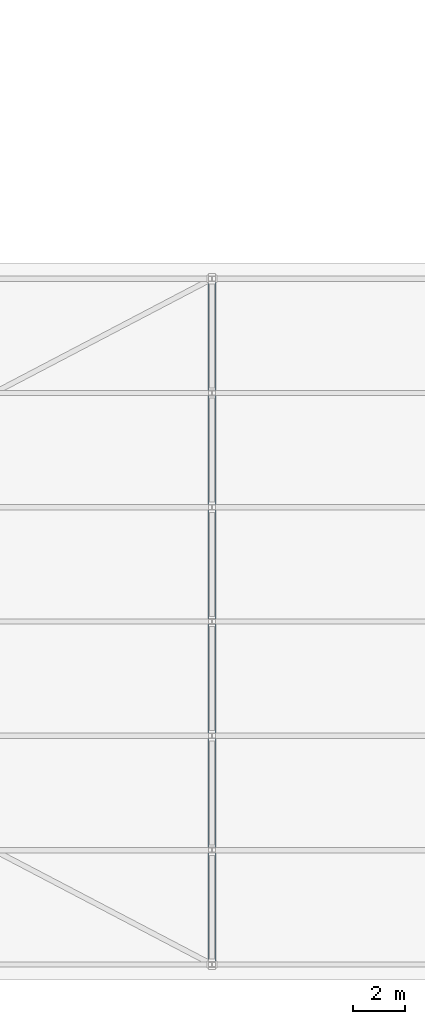
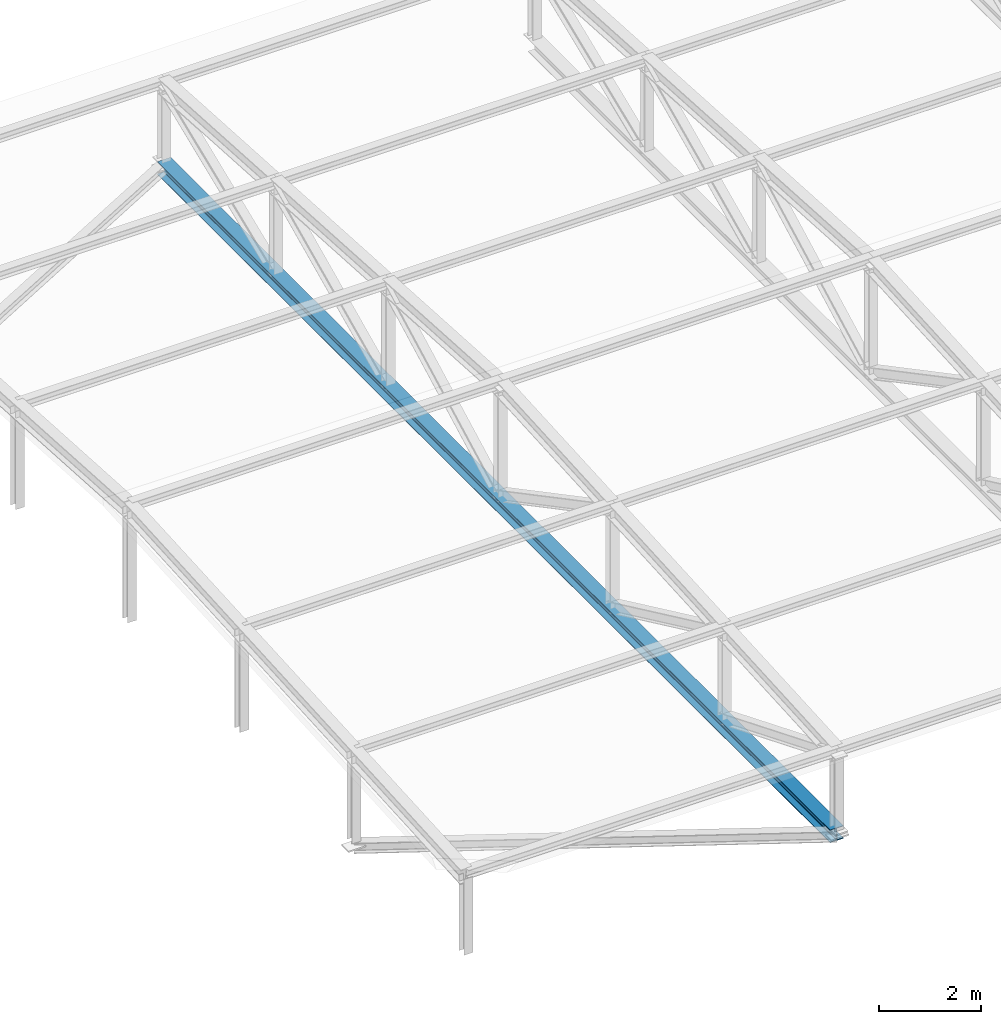
# One storey, part 7 of 49: 1 member.
"""IFC4 building model written with IfcOpenShell, lengths in metres."""

from ifc_helpers import new_model, si_unit, direction, frame, origin, origin_2d, place, context, subcontext, project, spatial, i_section, extrude, material, material_profile, profile_set, type_object, element, save


model = new_model("IFC4")

# Units and contexts
model_context = context("Model", 3, precision=1e-05, world=origin(), true_north=direction((0.0, 1.0)))
body_context = subcontext(model_context, "Body", "Model", "MODEL_VIEW")
ifc_project = project(units=[si_unit("LENGTHUNIT", "METRE"), si_unit("AREAUNIT", "SQUARE_METRE"), si_unit("VOLUMEUNIT", "CUBIC_METRE"), si_unit("PLANEANGLEUNIT", "RADIAN"), si_unit("MASSUNIT", "GRAM", prefix="KILO")], contexts=[model_context])

# Site, building, storey
site_placement = place(None, origin())
site = spatial("IfcSite", under=ifc_project, at=site_placement, CompositionType="ELEMENT")
building_placement = place(site_placement, origin())
building = spatial("IfcBuilding", under=site, at=building_placement, Name="Kemercrest Conservatory and Botanical Centre", CompositionType="ELEMENT")
storey_placement = place(building_placement, frame((0.0, 0.0, 13.199951171875)))
storey = spatial("IfcBuildingStorey", under=building, at=storey_placement, Name="L03", CompositionType="ELEMENT", Elevation=13.199951171875)

# Member
ifc_material = material(Name="Steel CSA G40.21 350W", Category="steel")
ifc_material_profile = material_profile(ifc_material, i_section(OverallWidth=0.304931640625, OverallDepth=0.30810546875, WebThickness=0.010009765625, FlangeThickness=0.015380859375, FilletRadius=0.014892578125, at=origin_2d()), Name="W310X97")
ifc_profile_set = profile_set([ifc_material_profile], Name="Steel CSA G40.21 350W")
member_type = type_object("IfcMemberType", Name="TR-BC310", PredefinedType="CHORD", material=ifc_profile_set)
member_placement = place(storey_placement, frame((66.800048828125, 16.800048828125, -0.14990234375), z_axis=(0.0, 1.0, 0.0), x_axis=(-1.0, 0.0, 0.0)))
element("IfcMember", 1, at=member_placement, inside=storey, type_object=member_type, Name="Auditorium Roof Truss Bottom Chord 08", PredefinedType="CHORD", context=body_context, shape_type="SweptSolid", body=[
    extrude(i_section(OverallWidth=0.304931640625, OverallDepth=0.30810546875, WebThickness=0.010009765625, FlangeThickness=0.015380859375, FilletRadius=0.014892578125, at=origin_2d()), origin(), (0.0, 0.0, 1.0), 26.39990234375),
])

save(model, "model.ifc")
